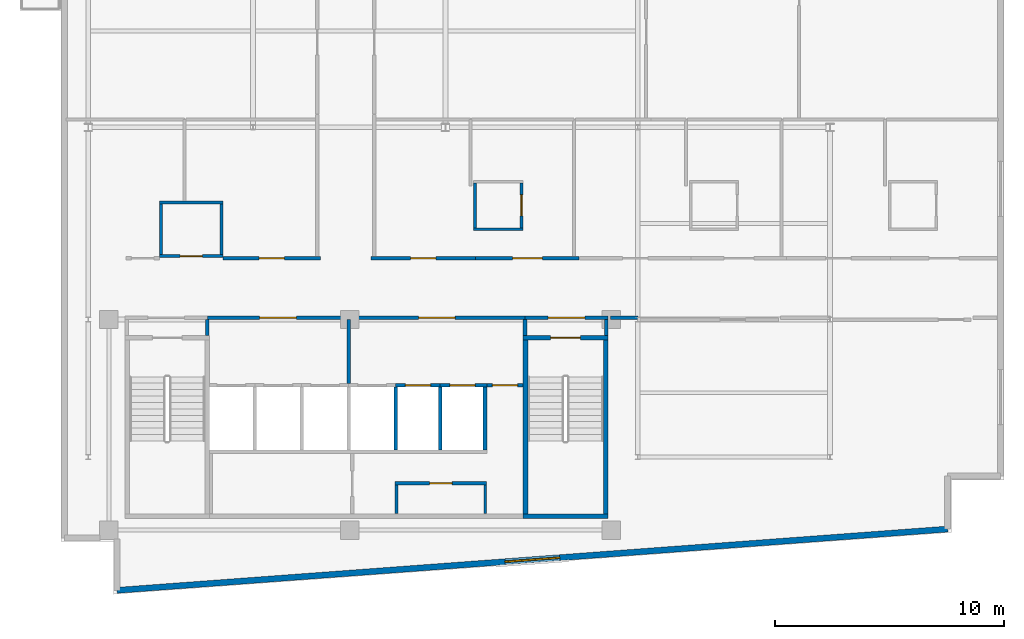
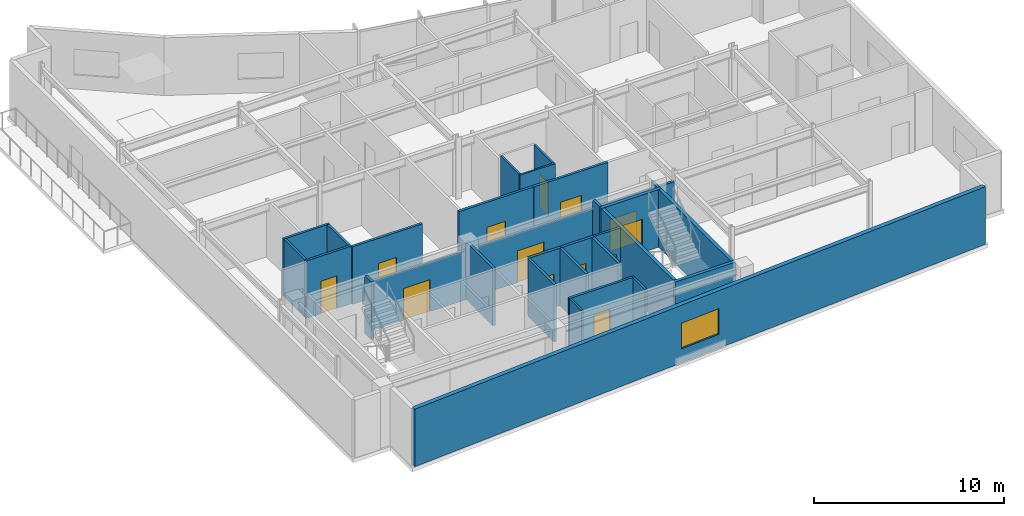
# One storey, part 10 of 15: 32 walls, 13 doors, 1 window, 14 openings.
"""IFC4 building model written with IfcOpenShell, lengths in metres."""

from ifc_helpers import new_model, si_unit, direction, frame, frame_2d, origin, place, context, subcontext, project, spatial, rectangle, extrude, material, layer, layer_set, type_object, element, fill, save


model = new_model("IFC4")

# Units and contexts
model_context = context("Model", 3, precision=1e-05, world=origin(), true_north=direction((0.0, 1.0)))
body_context = subcontext(model_context, "Body", "Model", "MODEL_VIEW")
ifc_project = project(units=[si_unit("LENGTHUNIT", "METRE"), si_unit("AREAUNIT", "SQUARE_METRE"), si_unit("VOLUMEUNIT", "CUBIC_METRE"), si_unit("PLANEANGLEUNIT", "RADIAN"), si_unit("MASSUNIT", "GRAM", prefix="KILO")], contexts=[model_context])

# Site, building, storey
site_placement = place(None, origin())
site = spatial("IfcSite", under=ifc_project, at=site_placement, CompositionType="ELEMENT")
building_placement = place(site_placement, origin())
building = spatial("IfcBuilding", under=site, at=building_placement, Name="Varnakote Quay Hospital", CompositionType="ELEMENT")
storey_placement = place(building_placement, frame((0.0, 0.0, 284.199951171875)))
storey = spatial("IfcBuildingStorey", under=building, at=storey_placement, Name="L70", CompositionType="ELEMENT", Elevation=284.199951171875)

# Wall
ifc_material_1 = material(Name="Fire-rated acoustic gypsum stud wall", Category="gypsum")
ifc_layer_1 = layer(ifc_material_1, 0.159912109375)
ifc_layer_set_1 = layer_set([ifc_layer_1], Name="Fire-rated acoustic gypsum stud wall")
wall_type_1 = type_object("IfcWallType", Name="WL-COMP-160", PredefinedType="PARTITIONING", material=ifc_layer_set_1)
wall_1_placement = place(storey_placement, frame((6.39990234375, 11.300048828125, 0.0), z_axis=(0.0, 0.0, 1.0), x_axis=(0.0, 1.0, 0.0)))
element("IfcWall", 1, at=wall_1_placement, inside=storey, type_object=wall_type_1, Name="L70 Firefighting Lobby West Wall", PredefinedType="PARTITIONING", context=body_context, shape_type="SweptSolid", body=[
    extrude(rectangle(XDim=0.699951171875, YDim=0.159912109375, at=frame_2d((0.35009765625, 0.0))), origin(), (0.0, 0.0, 1.0), 3.7099609375),
])

# Wall, opening, door
wall_2_placement = place(storey_placement, frame((6.39990234375, 12.080078125, 0.0), z_axis=(0.0, 0.0, 1.0), x_axis=(1.0, 0.0, 0.0)))
wall_2 = element("IfcWall", 2, at=wall_2_placement, inside=storey, type_object=wall_type_1, Name="L70 Firefighting Lift Lobby Compartment Wall", PredefinedType="PARTITIONING", context=body_context, shape_type="SweptSolid", body=[
    extrude(rectangle(XDim=6.18017578125, YDim=0.159912109375, at=frame_2d((3.090087890625, 0.0))), origin(), (0.0, 0.0, 1.0), 3.156982421875),
])
opening_1_placement = place(wall_2_placement, frame((2.2900390625, 0.0, 0.0)))
opening_1 = element("IfcOpeningElement", 3, at=opening_1_placement, cuts=wall_2, Name="Opening D-FFL-L70", PredefinedType="OPENING", context=body_context, shape_type="SweptSolid", body=[
    extrude(rectangle(XDim=1.60009765625, YDim=2.050048828125, at=frame_2d((0.800048828125, 1.02490234375))), frame((0.0, 0.08984375, 0.0), z_axis=(0.0, -1.0, 0.0), x_axis=(1.0, 0.0, 0.0)), (0.0, 0.0, 1.0), 0.179931640625),
])
ifc_material_2 = material(Name="Fire-rated double smoke lobby door")
door_type_1 = type_object("IfcDoorType", Name="DR-LOBBY-FD60S-1600x2150", OperationType="NOTDEFINED", PredefinedType="DOOR", material=ifc_material_2)
door_1_placement = place(opening_1_placement, origin())
door_1 = element("IfcDoor", 4, at=door_1_placement, inside=storey, type_object=door_type_1, Name="L70 Firefighting Smoke Vestibule Door", OperationType="DOUBLE_DOOR_SINGLE_SWING", OverallHeight=2.050048828125, OverallWidth=1.60009765625, PredefinedType="DOOR", context=body_context, shape_type="SweptSolid", body=[
    extrude(rectangle(XDim=1.60009765625, YDim=2.050048828125, at=frame_2d((0.800048828125, 1.02490234375))), frame((0.0, 0.02490234375, 0.0), z_axis=(0.0, -1.0, 0.0), x_axis=(1.0, 0.0, 0.0)), (0.0, 0.0, 1.0), 0.050048828125),
])
fill(opening_1, door_1)

# Wall
wall_3_placement = place(storey_placement, frame((12.580078125, 9.2099609375, 0.0), z_axis=(0.0, 0.0, 1.0), x_axis=(0.0, 1.0, 0.0)))
element("IfcWall", 5, at=wall_3_placement, inside=storey, type_object=wall_type_1, Name="L70 Firefighting to Service Lobby Wall", PredefinedType="PARTITIONING", context=body_context, shape_type="SweptSolid", body=[
    extrude(rectangle(XDim=2.7900390625, YDim=0.159912109375, at=frame_2d((1.39501953125, 0.0))), origin(), (0.0, 0.0, 1.0), 3.7099609375),
])

# Wall, opening, door
wall_4_placement = place(storey_placement, frame((12.580078125, 12.080078125, 0.0), z_axis=(0.0, 0.0, 1.0), x_axis=(1.0, 0.0, 0.0)))
wall_4 = element("IfcWall", 6, at=wall_4_placement, inside=storey, type_object=wall_type_1, Name="L70 Clinical Bed Lift Lobby Wall", PredefinedType="PARTITIONING", context=body_context, shape_type="SweptSolid", body=[
    extrude(rectangle(XDim=7.699951171875, YDim=0.159912109375, at=frame_2d((3.85009765625, 0.0))), origin(), (0.0, 0.0, 1.0), 3.156982421875),
])
opening_2_placement = place(wall_4_placement, frame((3.050048828125, 0.0, 0.0)))
opening_2 = element("IfcOpeningElement", 7, at=opening_2_placement, cuts=wall_4, Name="Opening D-SVL-L70", PredefinedType="OPENING", context=body_context, shape_type="SweptSolid", body=[
    extrude(rectangle(XDim=1.60009765625, YDim=2.050048828125, at=frame_2d((0.800048828125, 1.02490234375))), frame((0.0, 0.08984375, 0.0), z_axis=(0.0, -1.0, 0.0), x_axis=(1.0, 0.0, 0.0)), (0.0, 0.0, 1.0), 0.179931640625),
])
door_2_placement = place(opening_2_placement, origin())
door_2 = element("IfcDoor", 8, at=door_2_placement, inside=storey, type_object=door_type_1, Name="L70 Clinical Core Smoke Vestibule Door", OperationType="DOUBLE_DOOR_SINGLE_SWING", OverallHeight=2.050048828125, OverallWidth=1.60009765625, PredefinedType="DOOR", context=body_context, shape_type="SweptSolid", body=[
    extrude(rectangle(XDim=1.60009765625, YDim=2.050048828125, at=frame_2d((0.800048828125, 1.02490234375))), frame((0.0, 0.02490234375, 0.0), z_axis=(0.0, -1.0, 0.0), x_axis=(1.0, 0.0, 0.0)), (0.0, 0.0, 1.0), 0.050048828125),
])
fill(opening_2, door_2)

# Wall
wall_5_placement = place(storey_placement, frame((20.280029296875, 11.300048828125, 0.0), z_axis=(0.0, 0.0, 1.0), x_axis=(0.0, 1.0, 0.0)))
element("IfcWall", 9, at=wall_5_placement, inside=storey, type_object=wall_type_1, Name="L70 East Stair Vestibule Divider Wall", PredefinedType="PARTITIONING", context=body_context, shape_type="SweptSolid", body=[
    extrude(rectangle(XDim=0.699951171875, YDim=0.159912109375, at=frame_2d((0.35009765625, 0.0))), origin(), (0.0, 0.0, 1.0), 3.7099609375),
])

# Wall, opening, door
wall_6_placement = place(storey_placement, frame((20.280029296875, 12.080078125, 0.0), z_axis=(0.0, 0.0, 1.0), x_axis=(1.0, 0.0, 0.0)))
wall_6 = element("IfcWall", 10, at=wall_6_placement, inside=storey, type_object=wall_type_1, Name="L70 East Stair Vestibule Smoke Wall", PredefinedType="PARTITIONING", context=body_context, shape_type="SweptSolid", body=[
    extrude(rectangle(XDim=3.619873046875, YDim=0.159912109375, at=frame_2d((1.81005859375, 0.0))), origin(), (0.0, 0.0, 1.0), 3.156982421875),
])
opening_3_placement = place(wall_6_placement, frame((1.010009765625, 0.0, 0.0)))
opening_3 = element("IfcOpeningElement", 11, at=opening_3_placement, cuts=wall_6, Name="Opening D-ST2L-L70", PredefinedType="OPENING", context=body_context, shape_type="SweptSolid", body=[
    extrude(rectangle(XDim=1.60009765625, YDim=2.050048828125, at=frame_2d((0.800048828125, 1.02490234375))), frame((0.0, 0.08984375, 0.0), z_axis=(0.0, -1.0, 0.0), x_axis=(1.0, 0.0, 0.0)), (0.0, 0.0, 1.0), 0.179931640625),
])
door_3_placement = place(opening_3_placement, origin())
door_3 = element("IfcDoor", 12, at=door_3_placement, inside=storey, type_object=door_type_1, Name="L70 East Stair Vestibule Smoke Door", OperationType="DOUBLE_DOOR_SINGLE_SWING", OverallHeight=2.050048828125, OverallWidth=1.60009765625, PredefinedType="DOOR", context=body_context, shape_type="SweptSolid", body=[
    extrude(rectangle(XDim=1.60009765625, YDim=2.050048828125, at=frame_2d((0.800048828125, 1.02490234375))), frame((0.0, 0.02490234375, 0.0), z_axis=(0.0, -1.0, 0.0), x_axis=(1.0, 0.0, 0.0)), (0.0, 0.0, 1.0), 0.050048828125),
])
fill(opening_3, door_3)

# Walls
wall_7_placement = place(storey_placement, frame((23.820068359375, 11.300048828125, 0.0), z_axis=(0.0, 0.0, 1.0), x_axis=(0.0, 1.0, 0.0)))
element("IfcWall", 13, at=wall_7_placement, inside=storey, type_object=wall_type_1, Name="L70 East Stair Vestibule East Wall", PredefinedType="PARTITIONING", context=body_context, shape_type="SweptSolid", body=[
    extrude(rectangle(XDim=0.699951171875, YDim=0.159912109375, at=frame_2d((0.35009765625, 0.0))), origin(), (0.0, 0.0, 1.0), 3.7099609375),
])
wall_8_placement = place(storey_placement, frame((24.02001953125, 12.080078125, 0.0), z_axis=(0.0, 0.0, 1.0), x_axis=(1.0, 0.0, 0.0)))
element("IfcWall", 14, at=wall_8_placement, inside=storey, type_object=wall_type_1, Name="L70 Corridor South Gap Wall", PredefinedType="PARTITIONING", context=body_context, shape_type="SweptSolid", body=[
    extrude(rectangle(XDim=1.193115234375, YDim=0.159912109375, at=frame_2d((0.5966796875, 0.0))), origin(), (0.0, 0.0, 1.0), 3.156982421875),
])
ifc_material_3 = material(Name="Moisture-resistant bathroom partition", Category="gypsum")
ifc_layer_2 = layer(ifc_material_3, 0.114990234375)
ifc_layer_set_2 = layer_set([ifc_layer_2], Name="Moisture-resistant bathroom partition")
wall_type_2 = type_object("IfcWallType", Name="WL-ENS-115", PredefinedType="PARTITIONING", material=ifc_layer_set_2)
wall_9_placement = place(storey_placement, frame((18.034912109375, 15.952392578125, 0.0), z_axis=(0.0, 0.0, 1.0), x_axis=(1.0, 0.0, 0.0)))
element("IfcWall", 15, at=wall_9_placement, inside=storey, type_object=wall_type_2, Name="L70 Inpatient En-Suite Bathroom 01 S Wall", PredefinedType="PARTITIONING", context=body_context, shape_type="SweptSolid", body=[
    extrude(rectangle(XDim=2.150146484375, YDim=0.114990234375, at=frame_2d((1.0751953125, 0.0))), origin(), (0.0, 0.0, 1.0), 3.7099609375),
])
wall_10_placement = place(storey_placement, frame((18.092529296875, 16.010009765625, 0.0), z_axis=(0.0, 0.0, 1.0), x_axis=(0.0, 1.0, 0.0)))
element("IfcWall", 16, at=wall_10_placement, inside=storey, type_object=wall_type_2, Name="L70 Inpatient En-Suite Bathroom 01 W Wall", PredefinedType="PARTITIONING", context=body_context, shape_type="SweptSolid", body=[
    extrude(rectangle(XDim=1.949951171875, YDim=0.114990234375, at=frame_2d((0.97509765625, 0.0))), origin(), (0.0, 0.0, 1.0), 3.7099609375),
])

# Wall, opening, door
wall_11_placement = place(storey_placement, frame((20.12744140625, 16.010009765625, 0.0), z_axis=(0.0, 0.0, 1.0), x_axis=(0.0, 1.0, 0.0)))
wall_11 = element("IfcWall", 17, at=wall_11_placement, inside=storey, type_object=wall_type_2, Name="L70 Inpatient En-Suite Bathroom 01 E Wall", PredefinedType="PARTITIONING", context=body_context, shape_type="SweptSolid", body=[
    extrude(rectangle(XDim=1.949951171875, YDim=0.114990234375, at=frame_2d((0.97509765625, 0.0))), origin(), (0.0, 0.0, 1.0), 3.7099609375),
])
opening_4_placement = place(wall_11_placement, frame((0.514892578125, 0.0, 0.0)))
opening_4 = element("IfcOpeningElement", 18, at=opening_4_placement, cuts=wall_11, Name="Opening D-L70-ENS01", PredefinedType="OPENING", context=body_context, shape_type="SweptSolid", body=[
    extrude(rectangle(XDim=0.919921875, YDim=2.10009765625, at=frame_2d((0.4599609375, 1.050048828125))), frame((0.0, 0.0673828125, 0.0), z_axis=(0.0, -1.0, 0.0), x_axis=(1.0, 0.0, 0.0)), (0.0, 0.0, 1.0), 0.135009765625),
])
ifc_material_4 = material(Name="Moisture-sealed en-suite bathroom door")
door_type_2 = type_object("IfcDoorType", Name="DR-ENS-920x2100", OperationType="NOTDEFINED", PredefinedType="DOOR", material=ifc_material_4)
door_4_placement = place(opening_4_placement, origin())
door_4 = element("IfcDoor", 19, at=door_4_placement, inside=storey, type_object=door_type_2, Name="L70 Inpatient En-Suite Bathroom 01 Door", OperationType="SINGLE_SWING_LEFT", OverallHeight=2.10009765625, OverallWidth=0.919921875, PredefinedType="DOOR", context=body_context, shape_type="SweptSolid", body=[
    extrude(rectangle(XDim=0.919921875, YDim=2.10009765625, at=frame_2d((0.4599609375, 1.050048828125))), frame((0.0, 0.02490234375, 0.0), z_axis=(0.0, -1.0, 0.0), x_axis=(1.0, 0.0, 0.0)), (0.0, 0.0, 1.0), 0.050048828125),
])
fill(opening_4, door_4)

# Wall, opening, window
ifc_material_5 = material(Name="Precast concrete N50 (f'c 50 MPa)", Category="concrete")
ifc_layer_3 = layer(ifc_material_5, 0.260009765625)
ifc_layer_set_3 = layer_set([ifc_layer_3], Name="Precast concrete N50 (f'c 50 MPa)")
wall_type_3 = type_object("IfcWallType", Name="WL-EXT-BRICK-260", PredefinedType="STANDARD", material=ifc_layer_set_3)
wall_12_placement = place(storey_placement, frame((2.4599609375, 0.172119140625, 0.0), z_axis=(0.0, 0.0, 1.0), x_axis=(0.997289775118, 0.073573802713, 0.0)))
wall_12 = element("IfcWall", 20, at=wall_12_placement, inside=storey, type_object=wall_type_3, Name="L70 Brick-Faced Precast Exterior Wall", PredefinedType="STANDARD", context=body_context, shape_type="SweptSolid", body=[
    extrude(rectangle(XDim=36.378662109375, YDim=0.260009765625, at=frame_2d((18.189453125, 0.0))), origin(), (0.0, 0.0, 1.0), 3.7099609375),
])
opening_5_placement = place(wall_12_placement, frame((16.9892578125, 0.0, 0.89990234375)))
opening_5 = element("IfcOpeningElement", 21, at=opening_5_placement, cuts=wall_12, Name="Opening WN-0282", PredefinedType="OPENING", context=body_context, shape_type="SweptSolid", body=[
    extrude(rectangle(XDim=2.39990234375, YDim=1.64990234375, at=frame_2d((1.199951171875, 0.824951171875))), frame((0.0, 0.139892578125, 0.0), z_axis=(0.0, -1.0, 0.0), x_axis=(1.0, 0.0, 0.0)), (0.0, 0.0, 1.0), 0.280029296875),
])
ifc_material_6 = material(Name="Double-glazed low-E solar glass", Category="glass")
window_type = type_object("IfcWindowType", Name="WIN-CLIN-2400x1650", PartitioningType="SINGLE_PANEL", PredefinedType="WINDOW", material=ifc_material_6)
window_placement = place(opening_5_placement, origin())
window = element("IfcWindow", 22, at=window_placement, inside=storey, type_object=window_type, Name="L70 Solar-Control Clinical Window", OverallHeight=1.64990234375, OverallWidth=2.39990234375, PartitioningType="SINGLE_PANEL", PredefinedType="WINDOW", context=body_context, shape_type="SweptSolid", body=[
    extrude(rectangle(XDim=2.39990234375, YDim=1.64990234375, at=frame_2d((1.199951171875, 0.824951171875))), frame((0.0, 0.030029296875, 0.0), z_axis=(0.0, -1.0, 0.0), x_axis=(1.0, 0.0, 0.0)), (0.0, 0.0, 1.0), 0.06005859375),
])
fill(opening_5, window)

# Walls
ifc_material_7 = material(Name="Concrete N50 (f'c 50 MPa)", Category="concrete")
ifc_layer_4 = layer(ifc_material_7, 0.14990234375)
ifc_layer_set_4 = layer_set([ifc_layer_4], Name="Concrete N50 (f'c 50 MPa)")
wall_type_4 = type_object("IfcWallType", Name="WL-SHAFT-N50-150", PredefinedType="SHEAR", material=ifc_layer_set_4)
for number, where, z_axis, x_axis, name in (
    (23, (14.625, 6.300048828125, 0.0), (0.0, 0.0, 1.0), (0.0, 1.0, 0.0), "L70 LF-SV2 Hoistway Divider Wall"),
    (24, (16.574951171875, 6.300048828125, 0.0), (0.0, 0.0, 1.0), (0.0, 1.0, 0.0), "L70 LF-PH1 Hoistway Divider Wall"),
):
    element("IfcWall", number, at=place(storey_placement, frame(where, z_axis=z_axis, x_axis=x_axis)), inside=storey, type_object=wall_type_4, Name=name, PredefinedType="SHEAR", context=body_context, shape_type="SweptSolid", body=[
        extrude(rectangle(XDim=2.75, YDim=0.14990234375, at=frame_2d((1.375, 0.0))), origin(), (0.0, 0.0, 1.0), 3.7099609375),
    ])
ifc_material_8 = material(Name="Concrete N50 (f'c 50 MPa)", Category="concrete")
ifc_layer_5 = layer(ifc_material_8, 0.159912109375)
ifc_layer_set_5 = layer_set([ifc_layer_5], Name="Concrete N50 (f'c 50 MPa)")
wall_type_5 = type_object("IfcWallType", Name="WL-SHAFT-N50-160", PredefinedType="SHEAR", material=ifc_layer_set_5)
wall_13_placement = place(storey_placement, frame((18.530029296875, 6.300048828125, 0.0), z_axis=(0.0, 0.0, 1.0), x_axis=(0.0, 1.0, 0.0)))
element("IfcWall", 25, at=wall_13_placement, inside=storey, type_object=wall_type_5, Name="L70 REAR Lift Bank East Shear Wall", PredefinedType="SHEAR", context=body_context, shape_type="SweptSolid", body=[
    extrude(rectangle(XDim=2.75, YDim=0.159912109375, at=frame_2d((1.375, 0.0))), origin(), (0.0, 0.0, 1.0), 3.7099609375),
])

# Wall, opening, door
wall_14_placement = place(storey_placement, frame((14.625, 9.1298828125, 0.0), z_axis=(0.0, 0.0, 1.0), x_axis=(1.0, 0.0, 0.0)))
wall_14 = element("IfcWall", 26, at=wall_14_placement, inside=storey, type_object=wall_type_5, Name="L70 LF-PH1 Hoistway Front Wall", PredefinedType="SHEAR", context=body_context, shape_type="SweptSolid", body=[
    extrude(rectangle(XDim=1.949951171875, YDim=0.159912109375, at=frame_2d((0.97509765625, 0.0))), origin(), (0.0, 0.0, 1.0), 3.7099609375),
])
opening_6_placement = place(wall_14_placement, frame((0.425048828125, 0.0, 0.0)))
opening_6 = element("IfcOpeningElement", 27, at=opening_6_placement, cuts=wall_14, Name="Opening LD-PH1-L70", PredefinedType="OPENING", context=body_context, shape_type="SweptSolid", body=[
    extrude(rectangle(XDim=1.10009765625, YDim=2.14990234375, at=frame_2d((0.550048828125, 1.074951171875))), frame((0.0, 0.08984375, 0.0), z_axis=(0.0, -1.0, 0.0), x_axis=(1.0, 0.0, 0.0)), (0.0, 0.0, 1.0), 0.179931640625),
])
ifc_material_9 = material(Name="Brushed bronze lift landing sliding door")
door_type_3 = type_object("IfcDoorType", Name="DR-LIFT-LD-1100x2150", OperationType="NOTDEFINED", PredefinedType="DOOR", material=ifc_material_9)
door_5_placement = place(opening_6_placement, origin())
door_5 = element("IfcDoor", 28, at=door_5_placement, inside=storey, type_object=door_type_3, Name="L70 LF-PH1 Lift Landing Sliding Door", OperationType="SLIDING_TO_LEFT", OverallHeight=2.14990234375, OverallWidth=1.10009765625, PredefinedType="DOOR", context=body_context, shape_type="SweptSolid", body=[
    extrude(rectangle(XDim=1.10009765625, YDim=2.14990234375, at=frame_2d((0.550048828125, 1.074951171875))), frame((0.0, 0.02490234375, 0.0), z_axis=(0.0, -1.0, 0.0), x_axis=(1.0, 0.0, 0.0)), (0.0, 0.0, 1.0), 0.050048828125),
])
fill(opening_6, door_5)

wall_15_placement = place(storey_placement, frame((16.574951171875, 9.1298828125, 0.0), z_axis=(0.0, 0.0, 1.0), x_axis=(1.0, 0.0, 0.0)))
wall_15 = element("IfcWall", 29, at=wall_15_placement, inside=storey, type_object=wall_type_5, Name="L70 LF-PH2 Hoistway Front Wall", PredefinedType="SHEAR", context=body_context, shape_type="SweptSolid", body=[
    extrude(rectangle(XDim=2.03515625, YDim=0.159912109375, at=frame_2d((1.017578125, 0.0))), origin(), (0.0, 0.0, 1.0), 3.7099609375),
])
opening_7_placement = place(wall_15_placement, frame((0.425048828125, 0.0, 0.0)))
opening_7 = element("IfcOpeningElement", 30, at=opening_7_placement, cuts=wall_15, Name="Opening LD-PH2-L70", PredefinedType="OPENING", context=body_context, shape_type="SweptSolid", body=[
    extrude(rectangle(XDim=1.10009765625, YDim=2.14990234375, at=frame_2d((0.550048828125, 1.074951171875))), frame((0.0, 0.08984375, 0.0), z_axis=(0.0, -1.0, 0.0), x_axis=(1.0, 0.0, 0.0)), (0.0, 0.0, 1.0), 0.179931640625),
])
door_6_placement = place(opening_7_placement, origin())
door_6 = element("IfcDoor", 31, at=door_6_placement, inside=storey, type_object=door_type_3, Name="L70 LF-PH2 Lift Landing Sliding Door", OperationType="SLIDING_TO_LEFT", OverallHeight=2.14990234375, OverallWidth=1.10009765625, PredefinedType="DOOR", context=body_context, shape_type="SweptSolid", body=[
    extrude(rectangle(XDim=1.10009765625, YDim=2.14990234375, at=frame_2d((0.550048828125, 1.074951171875))), frame((0.0, 0.02490234375, 0.0), z_axis=(0.0, -1.0, 0.0), x_axis=(1.0, 0.0, 0.0)), (0.0, 0.0, 1.0), 0.050048828125),
])
fill(opening_7, door_6)

# Walls
ifc_material_10 = material(Name="Concrete N50 (f'c 50 MPa)", Category="concrete")
ifc_layer_6 = layer(ifc_material_10, 0.199951171875)
ifc_layer_set_6 = layer_set([ifc_layer_6], Name="Concrete N50 (f'c 50 MPa)")
wall_type_6 = type_object("IfcWallType", Name="WL-SHAFT-N50-200", PredefinedType="SHEAR", material=ifc_layer_set_6)
wall_16_placement = place(storey_placement, frame((20.199951171875, 3.39990234375, 0.0), z_axis=(0.0, 0.0, 1.0), x_axis=(1.0, 0.0, 0.0)))
element("IfcWall", 32, at=wall_16_placement, inside=storey, type_object=wall_type_6, Name="L70 Stair ST2 South Shaft Wall", PredefinedType="SHEAR", context=body_context, shape_type="SweptSolid", body=[
    extrude(rectangle(XDim=3.699951171875, YDim=0.199951171875, at=frame_2d((1.85009765625, 0.0))), origin(), (0.0, 0.0, 1.0), 3.7099609375),
])
for number, where, z_axis, x_axis, name in (
    (33, (20.300048828125, 3.5, 0.0), (0.0, 0.0, 1.0), (0.0, 1.0, 0.0), "L70 Stair ST2 West Shaft Wall"),
    (34, (23.800048828125, 3.5, 0.0), (0.0, 0.0, 1.0), (0.0, 1.0, 0.0), "L70 Stair ST2 East Shaft Wall"),
):
    element("IfcWall", number, at=place(storey_placement, frame(where, z_axis=z_axis, x_axis=x_axis)), inside=storey, type_object=wall_type_6, Name=name, PredefinedType="SHEAR", context=body_context, shape_type="SweptSolid", body=[
        extrude(rectangle(XDim=7.60009765625, YDim=0.199951171875, at=frame_2d((3.800048828125, 0.0))), origin(), (0.0, 0.0, 1.0), 3.7099609375),
    ])

# Wall, opening, door
wall_17_placement = place(storey_placement, frame((20.199951171875, 11.199951171875, 0.0), z_axis=(0.0, 0.0, 1.0), x_axis=(1.0, 0.0, 0.0)))
wall_17 = element("IfcWall", 35, at=wall_17_placement, inside=storey, type_object=wall_type_6, Name="L70 Stair ST2 Exit Wall", PredefinedType="SHEAR", context=body_context, shape_type="SweptSolid", body=[
    extrude(rectangle(XDim=3.699951171875, YDim=0.199951171875, at=frame_2d((1.85009765625, 0.0))), origin(), (0.0, 0.0, 1.0), 3.7099609375),
])
opening_8_placement = place(wall_17_placement, frame((1.199951171875, 0.0, 0.0)))
opening_8 = element("IfcOpeningElement", 36, at=opening_8_placement, cuts=wall_17, Name="Opening D-ST2-L70", PredefinedType="OPENING", context=body_context, shape_type="SweptSolid", body=[
    extrude(rectangle(XDim=1.300048828125, YDim=2.14990234375, at=frame_2d((0.64990234375, 1.074951171875))), frame((0.0, 0.10986328125, 0.0), z_axis=(0.0, -1.0, 0.0), x_axis=(1.0, 0.0, 0.0)), (0.0, 0.0, 1.0), 0.219970703125),
])
ifc_material_11 = material(Name="Fire-rated ceramic-glazed timber exit door", Category="wood")
door_type_4 = type_object("IfcDoorType", Name="DR-STAIR-FD60S-1300x2150", OperationType="NOTDEFINED", PredefinedType="DOOR", material=ifc_material_11)
door_7_placement = place(opening_8_placement, origin())
door_7 = element("IfcDoor", 37, at=door_7_placement, inside=storey, type_object=door_type_4, Name="L70 Stair ST2 Fire Exit Door", OperationType="SINGLE_SWING_RIGHT", OverallHeight=2.14990234375, OverallWidth=1.300048828125, PredefinedType="DOOR", context=body_context, shape_type="SweptSolid", body=[
    extrude(rectangle(XDim=1.300048828125, YDim=2.14990234375, at=frame_2d((0.64990234375, 1.074951171875))), frame((0.0, 0.02490234375, 0.0), z_axis=(0.0, -1.0, 0.0), x_axis=(1.0, 0.0, 0.0)), (0.0, 0.0, 1.0), 0.050048828125),
])
fill(opening_8, door_7)

# Walls
ifc_material_12 = material(Name="Smoke-proof clinical partition", Category="gypsum")
ifc_layer_7 = layer(ifc_material_12, 0.1201171875)
ifc_layer_set_7 = layer_set([ifc_layer_7], Name="Smoke-proof clinical partition")
wall_type_7 = type_object("IfcWallType", Name="WL-SMOKE-120", PredefinedType="PARTITIONING", material=ifc_layer_set_7)
for number, where, z_axis, x_axis, name in (
    (38, (14.669921875, 3.52001953125, 0.0), (0.0, 0.0, 1.0), (0.0, 1.0, 0.0), "L70 Core WC West Wall"),
    (39, (18.5400390625, 3.52001953125, 0.0), (0.0, 0.0, 1.0), (0.0, 1.0, 0.0), "L70 Core WC East Wall"),
):
    element("IfcWall", number, at=place(storey_placement, frame(where, z_axis=z_axis, x_axis=x_axis)), inside=storey, type_object=wall_type_7, Name=name, PredefinedType="PARTITIONING", context=body_context, shape_type="SweptSolid", body=[
        extrude(rectangle(XDim=1.260009765625, YDim=0.1201171875, at=frame_2d((0.6298828125, 0.0))), origin(), (0.0, 0.0, 1.0), 3.7099609375),
    ])

# Wall, opening, door
ifc_material_13 = material(Name="Fire-rated clinical gypsum partition", Category="gypsum")
ifc_layer_8 = layer(ifc_material_13, 0.139892578125)
ifc_layer_set_8 = layer_set([ifc_layer_8], Name="Fire-rated clinical gypsum partition")
wall_type_8 = type_object("IfcWallType", Name="WL-WARD-140", PredefinedType="PARTITIONING", material=ifc_layer_set_8)
wall_18_placement = place(storey_placement, frame((14.60009765625, 4.85009765625, 0.0), z_axis=(0.0, 0.0, 1.0), x_axis=(1.0, 0.0, 0.0)))
wall_18 = element("IfcWall", 40, at=wall_18_placement, inside=storey, type_object=wall_type_8, Name="L70 Core Staff Sanitary WC North Wall", PredefinedType="PARTITIONING", context=body_context, shape_type="SweptSolid", body=[
    extrude(rectangle(XDim=4.0, YDim=0.139892578125, at=frame_2d((2.0, 0.0))), origin(), (0.0, 0.0, 1.0), 3.7099609375),
])
opening_9_placement = place(wall_18_placement, frame((1.510009765625, 0.0, 0.0)))
opening_9 = element("IfcOpeningElement", 41, at=opening_9_placement, cuts=wall_18, Name="Opening D-L70-CR02", PredefinedType="OPENING", context=body_context, shape_type="SweptSolid", body=[
    extrude(rectangle(XDim=0.97998046875, YDim=2.10009765625, at=frame_2d((0.489990234375, 1.050048828125))), frame((0.0, 0.079833984375, 0.0), z_axis=(0.0, -1.0, 0.0), x_axis=(1.0, 0.0, 0.0)), (0.0, 0.0, 1.0), 0.159912109375),
])
ifc_material_14 = material(Name="Accessible sanitary compartment door")
door_type_5 = type_object("IfcDoorType", Name="DR-WC-980x2100", OperationType="NOTDEFINED", PredefinedType="DOOR", material=ifc_material_14)
door_8_placement = place(opening_9_placement, origin())
door_8 = element("IfcDoor", 42, at=door_8_placement, inside=storey, type_object=door_type_5, Name="L70 Core Staff Sanitary WC Door", OperationType="SINGLE_SWING_RIGHT", OverallHeight=2.10009765625, OverallWidth=0.97998046875, PredefinedType="DOOR", context=body_context, shape_type="SweptSolid", body=[
    extrude(rectangle(XDim=0.97998046875, YDim=2.10009765625, at=frame_2d((0.489990234375, 1.050048828125))), frame((0.0, 0.02490234375, 0.0), z_axis=(0.0, -1.0, 0.0), x_axis=(1.0, 0.0, 0.0)), (0.0, 0.0, 1.0), 0.050048828125),
])
fill(opening_9, door_8)

wall_19_placement = place(storey_placement, frame((18.610107421875, 9.1298828125, 0.0), z_axis=(0.0, 0.0, 1.0), x_axis=(1.0, 0.0, 0.0)))
wall_19 = element("IfcWall", 43, at=wall_19_placement, inside=storey, type_object=wall_type_8, Name="L70 Core Service Corridor North Door Wall", PredefinedType="PARTITIONING", context=body_context, shape_type="SweptSolid", body=[
    extrude(rectangle(XDim=1.58984375, YDim=0.139892578125, at=frame_2d((0.794921875, 0.0))), origin(), (0.0, 0.0, 1.0), 3.7099609375),
])
opening_10_placement = place(wall_19_placement, frame((0.239990234375, 0.0, 0.0)))
opening_10 = element("IfcOpeningElement", 44, at=opening_10_placement, cuts=wall_19, Name="Opening D-CSRV-L70", PredefinedType="OPENING", context=body_context, shape_type="SweptSolid", body=[
    extrude(rectangle(XDim=1.10009765625, YDim=2.10009765625, at=frame_2d((0.550048828125, 1.050048828125))), frame((0.0, 0.079833984375, 0.0), z_axis=(0.0, -1.0, 0.0), x_axis=(1.0, 0.0, 0.0)), (0.0, 0.0, 1.0), 0.159912109375),
])
ifc_material_15 = material(Name="Acoustic timber clinical consult door", Category="wood")
door_type_6 = type_object("IfcDoorType", Name="DR-CLIN-FD30S-1100x2100", OperationType="NOTDEFINED", PredefinedType="DOOR", material=ifc_material_15)
door_9_placement = place(opening_10_placement, origin())
door_9 = element("IfcDoor", 45, at=door_9_placement, inside=storey, type_object=door_type_6, Name="L70 Core Service Corridor Door", OperationType="SINGLE_SWING_LEFT", OverallHeight=2.10009765625, OverallWidth=1.10009765625, PredefinedType="DOOR", context=body_context, shape_type="SweptSolid", body=[
    extrude(rectangle(XDim=1.10009765625, YDim=2.10009765625, at=frame_2d((0.550048828125, 1.050048828125))), frame((0.0, 0.02490234375, 0.0), z_axis=(0.0, -1.0, 0.0), x_axis=(1.0, 0.0, 0.0)), (0.0, 0.0, 1.0), 0.050048828125),
])
fill(opening_10, door_9)

wall_20_placement = place(storey_placement, frame((4.31005859375, 14.77001953125, 0.0), z_axis=(0.0, 0.0, 1.0), x_axis=(1.0, 0.0, 0.0)))
wall_20 = element("IfcWall", 46, at=wall_20_placement, inside=storey, type_object=wall_type_8, Name="L70 Floor Unisex Accessible WC S Wall", PredefinedType="PARTITIONING", context=body_context, shape_type="SweptSolid", body=[
    extrude(rectangle(XDim=2.780029296875, YDim=0.139892578125, at=frame_2d((1.39013671875, 0.0))), origin(), (0.0, 0.0, 1.0), 3.7099609375),
])
opening_11_placement = place(wall_20_placement, frame((0.89990234375, 0.0, 0.0)))
opening_11 = element("IfcOpeningElement", 47, at=opening_11_placement, cuts=wall_20, Name="Opening D-L70-EW01", PredefinedType="OPENING", context=body_context, shape_type="SweptSolid", body=[
    extrude(rectangle(XDim=0.97998046875, YDim=2.10009765625, at=frame_2d((0.489990234375, 1.050048828125))), frame((0.0, 0.079833984375, 0.0), z_axis=(0.0, -1.0, 0.0), x_axis=(1.0, 0.0, 0.0)), (0.0, 0.0, 1.0), 0.159912109375),
])
door_10_placement = place(opening_11_placement, origin())
door_10 = element("IfcDoor", 48, at=door_10_placement, inside=storey, type_object=door_type_5, Name="L70 Floor Unisex Accessible WC Door", OperationType="SINGLE_SWING_RIGHT", OverallHeight=2.10009765625, OverallWidth=0.97998046875, PredefinedType="DOOR", context=body_context, shape_type="SweptSolid", body=[
    extrude(rectangle(XDim=0.97998046875, YDim=2.10009765625, at=frame_2d((0.489990234375, 1.050048828125))), frame((0.0, 0.02490234375, 0.0), z_axis=(0.0, -1.0, 0.0), x_axis=(1.0, 0.0, 0.0)), (0.0, 0.0, 1.0), 0.050048828125),
])
fill(opening_11, door_10)

# Walls
wall_21_placement = place(storey_placement, frame((4.31005859375, 17.110107421875, 0.0), z_axis=(0.0, 0.0, 1.0), x_axis=(1.0, 0.0, 0.0)))
element("IfcWall", 49, at=wall_21_placement, inside=storey, type_object=wall_type_8, Name="L70 Floor Unisex Accessible WC N Wall", PredefinedType="PARTITIONING", context=body_context, shape_type="SweptSolid", body=[
    extrude(rectangle(XDim=2.780029296875, YDim=0.139892578125, at=frame_2d((1.39013671875, 0.0))), origin(), (0.0, 0.0, 1.0), 3.7099609375),
])
for number, where, z_axis, x_axis, name in (
    (50, (4.3798828125, 14.840087890625, 0.0), (0.0, 0.0, 1.0), (0.0, 1.0, 0.0), "L70 Floor Unisex Accessible WC W Wall"),
    (51, (7.02001953125, 14.840087890625, 0.0), (0.0, 0.0, 1.0), (0.0, 1.0, 0.0), "L70 Floor Unisex Accessible WC E Wall"),
):
    element("IfcWall", number, at=place(storey_placement, frame(where, z_axis=z_axis, x_axis=x_axis)), inside=storey, type_object=wall_type_8, Name=name, PredefinedType="PARTITIONING", context=body_context, shape_type="SweptSolid", body=[
        extrude(rectangle(XDim=2.199951171875, YDim=0.139892578125, at=frame_2d((1.10009765625, 0.0))), origin(), (0.0, 0.0, 1.0), 3.7099609375),
    ])

# Wall, opening, door
ifc_material_16 = material(Name="Fire-rated clinical gypsum partition", Category="gypsum")
ifc_layer_9 = layer(ifc_material_16, 0.14990234375)
ifc_layer_set_9 = layer_set([ifc_layer_9], Name="Fire-rated clinical gypsum partition")
wall_type_9 = type_object("IfcWallType", Name="WL-WARD-150", PredefinedType="PARTITIONING", material=ifc_layer_set_9)
wall_22_placement = place(storey_placement, frame((11.345947265625, 14.679931640625, 0.0), z_axis=(0.0, 0.0, 1.0), x_axis=(-1.0, 0.0, 0.0)))
wall_22 = element("IfcWall", 52, at=wall_22_placement, inside=storey, type_object=wall_type_9, Name="L70 Clinical Interior Partition", PredefinedType="PARTITIONING", context=body_context, shape_type="SweptSolid", body=[
    extrude(rectangle(XDim=4.25390625, YDim=0.14990234375, at=frame_2d((2.126953125, 0.0))), origin(), (0.0, 0.0, 1.0), 3.7099609375),
])
opening_12_placement = place(wall_22_placement, frame((1.576904296875, 0.0, 0.0)))
opening_12 = element("IfcOpeningElement", 53, at=opening_12_placement, cuts=wall_22, Name="Opening D-L70-MD02", PredefinedType="OPENING", context=body_context, shape_type="SweptSolid", body=[
    extrude(rectangle(XDim=1.10009765625, YDim=2.10009765625, at=frame_2d((0.550048828125, 1.050048828125))), frame((0.0, 0.0849609375, 0.0), z_axis=(0.0, -1.0, 0.0), x_axis=(1.0, 0.0, 0.0)), (0.0, 0.0, 1.0), 0.169921875),
])
door_11_placement = place(opening_12_placement, origin())
door_11 = element("IfcDoor", 54, at=door_11_placement, inside=storey, type_object=door_type_6, Name="L70 Multidisciplinary Clinical Consultation Suite Door", OperationType="SINGLE_SWING_LEFT", OverallHeight=2.10009765625, OverallWidth=1.10009765625, PredefinedType="DOOR", context=body_context, shape_type="SweptSolid", body=[
    extrude(rectangle(XDim=1.10009765625, YDim=2.10009765625, at=frame_2d((0.550048828125, 1.050048828125))), frame((0.0, 0.02490234375, 0.0), z_axis=(0.0, -1.0, 0.0), x_axis=(1.0, 0.0, 0.0)), (0.0, 0.0, 1.0), 0.050048828125),
])
fill(opening_12, door_11)

wall_23_placement = place(storey_placement, frame((18.115966796875, 14.679931640625, 0.0), z_axis=(0.0, 0.0, 1.0), x_axis=(-1.0, 0.0, 0.0)))
wall_23 = element("IfcWall", 55, at=wall_23_placement, inside=storey, type_object=wall_type_9, Name="L70 Clinical Interior Partition", PredefinedType="PARTITIONING", context=body_context, shape_type="SweptSolid", body=[
    extrude(rectangle(XDim=4.56201171875, YDim=0.14990234375, at=frame_2d((2.281005859375, 0.0))), origin(), (0.0, 0.0, 1.0), 3.7099609375),
])
opening_13_placement = place(wall_23_placement, frame((1.73095703125, 0.0, 0.0)))
opening_13 = element("IfcOpeningElement", 56, at=opening_13_placement, cuts=wall_23, Name="Opening D-L70-MD03", PredefinedType="OPENING", context=body_context, shape_type="SweptSolid", body=[
    extrude(rectangle(XDim=1.10009765625, YDim=2.10009765625, at=frame_2d((0.550048828125, 1.050048828125))), frame((0.0, 0.0849609375, 0.0), z_axis=(0.0, -1.0, 0.0), x_axis=(1.0, 0.0, 0.0)), (0.0, 0.0, 1.0), 0.169921875),
])
door_12_placement = place(opening_13_placement, origin())
door_12 = element("IfcDoor", 57, at=door_12_placement, inside=storey, type_object=door_type_6, Name="L70 Ward Dietetics Pantry Door", OperationType="SINGLE_SWING_RIGHT", OverallHeight=2.10009765625, OverallWidth=1.10009765625, PredefinedType="DOOR", context=body_context, shape_type="SweptSolid", body=[
    extrude(rectangle(XDim=1.10009765625, YDim=2.10009765625, at=frame_2d((0.550048828125, 1.050048828125))), frame((0.0, 0.02490234375, 0.0), z_axis=(0.0, -1.0, 0.0), x_axis=(1.0, 0.0, 0.0)), (0.0, 0.0, 1.0), 0.050048828125),
])
fill(opening_13, door_12)

wall_24_placement = place(storey_placement, frame((22.64599609375, 14.679931640625, 0.0), z_axis=(0.0, 0.0, 1.0), x_axis=(-1.0, 0.0, 0.0)))
wall_24 = element("IfcWall", 58, at=wall_24_placement, inside=storey, type_object=wall_type_9, Name="L70 Clinical Interior Partition", PredefinedType="PARTITIONING", context=body_context, shape_type="SweptSolid", body=[
    extrude(rectangle(XDim=4.528076171875, YDim=0.14990234375, at=frame_2d((2.26416015625, 0.0))), origin(), (0.0, 0.0, 1.0), 3.7099609375),
])
opening_14_placement = place(wall_24_placement, frame((1.614013671875, 0.0, 0.0)))
opening_14 = element("IfcOpeningElement", 59, at=opening_14_placement, cuts=wall_24, Name="Opening D-L70-BR01", PredefinedType="OPENING", context=body_context, shape_type="SweptSolid", body=[
    extrude(rectangle(XDim=1.300048828125, YDim=2.14990234375, at=frame_2d((0.64990234375, 1.074951171875))), frame((0.0, 0.0849609375, 0.0), z_axis=(0.0, -1.0, 0.0), x_axis=(1.0, 0.0, 0.0)), (0.0, 0.0, 1.0), 0.169921875),
])
ifc_material_17 = material(Name="Solid-core timber clinical bed door", Category="wood")
door_type_7 = type_object("IfcDoorType", Name="DR-WARD-FD30S-1300x2150", OperationType="NOTDEFINED", PredefinedType="DOOR", material=ifc_material_17)
door_13_placement = place(opening_14_placement, origin())
door_13 = element("IfcDoor", 60, at=door_13_placement, inside=storey, type_object=door_type_7, Name="L70 Resident Care Bedroom 01 Door", OperationType="SINGLE_SWING_LEFT", OverallHeight=2.14990234375, OverallWidth=1.300048828125, PredefinedType="DOOR", context=body_context, shape_type="SweptSolid", body=[
    extrude(rectangle(XDim=1.300048828125, YDim=2.14990234375, at=frame_2d((0.64990234375, 1.074951171875))), frame((0.0, 0.02490234375, 0.0), z_axis=(0.0, -1.0, 0.0), x_axis=(1.0, 0.0, 0.0)), (0.0, 0.0, 1.0), 0.050048828125),
])
fill(opening_14, door_13)

save(model, "model.ifc")
